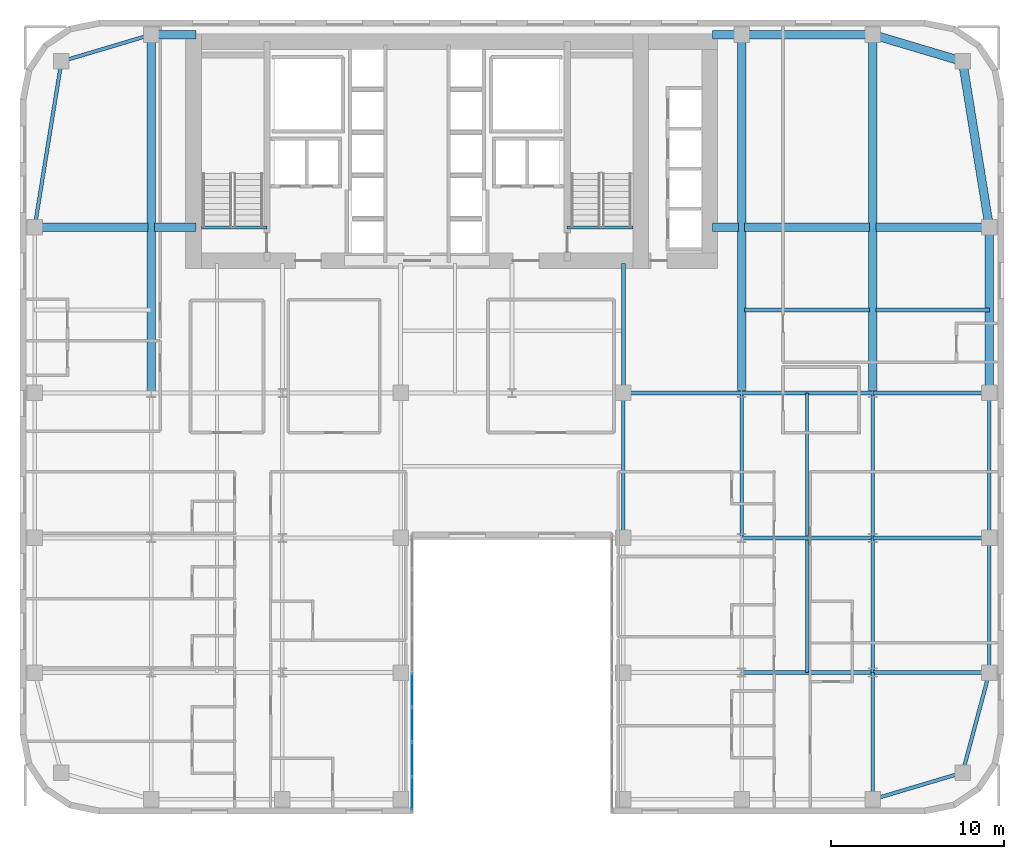
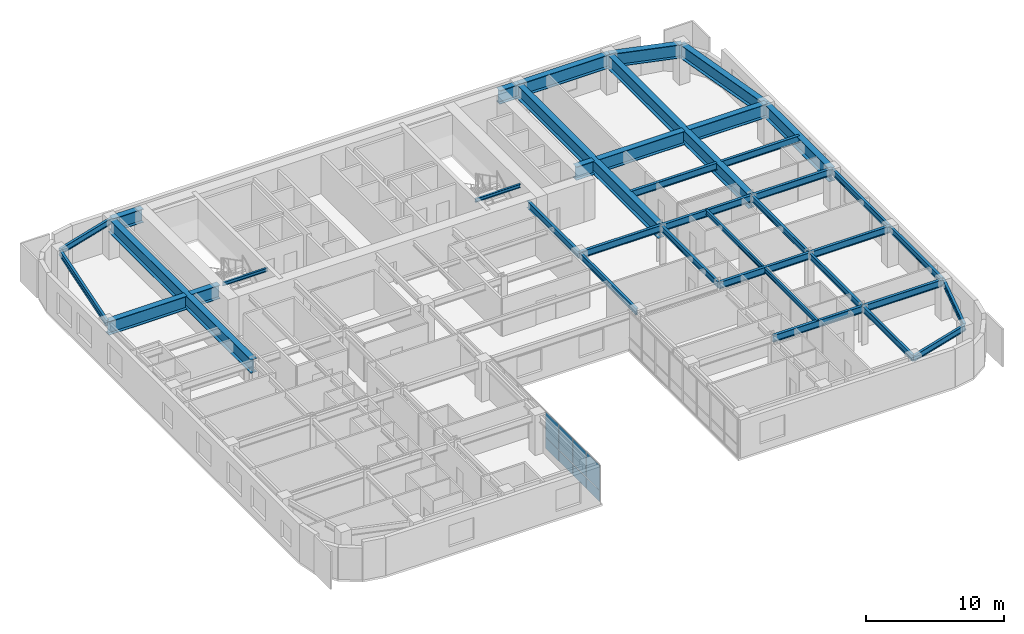
# One storey, part 8 of 16: 39 beams, 8 plates, 1 element without a shape of its own.
"""IFC4 building model written with IfcOpenShell, lengths in metres."""

import ifcopenshell
import ifcopenshell.guid

model = None  # the IFC model being written
_history = None  # IfcOwnerHistory: only IFC2X3 demands one
_inside = {}  # id of a spatial element -> (the spatial element, [elements in it])
_under = {}  # id of a project, library or spatial element -> (it, [spatial elements below it])
_declared = {}  # id of a project -> (the project, [libraries it declares])
_typed = {}  # id of a type object -> (the type object, [elements of that type])
_made_of = {}  # id of a material, layer set ... -> (it, [elements and type objects made of it])


def new_model(schema):
    """Start an empty IFC model of exactly this schema.

    Asked for "IFC4X3", IfcOpenShell would pick the latest addendum, in which some entities
    have other attributes; the version numbers below select the first issue.
    IFC2X3 requires an IfcOwnerHistory on every rooted entity: one is made here for all.
    """
    global model, _history
    if schema == "IFC4X3":
        model = ifcopenshell.file(schema_version=(4, 3, 0, 0))
    else:
        model = ifcopenshell.file(schema=schema)
    _inside.clear()
    _under.clear()
    _declared.clear()
    _typed.clear()
    _made_of.clear()
    _history = None
    if model.schema == "IFC2X3":
        org = make("IfcOrganization", Name="unknown")
        user = make(
            "IfcPersonAndOrganization",
            ThePerson=make("IfcPerson", FamilyName="unknown"),
            TheOrganization=org,
        )
        app = make(
            "IfcApplication",
            ApplicationDeveloper=org,
            Version="unknown",
            ApplicationFullName="unknown",
            ApplicationIdentifier="unknown",
        )
        _history = make(
            "IfcOwnerHistory",
            OwningUser=user,
            OwningApplication=app,
            ChangeAction="ADDED",
            CreationDate=0,
        )
    return model


def make(cls, **values):
    """One entity of the class cls with the attributes given. An attribute that is None is left unset."""
    return model.create_entity(
        cls, **{name: value for name, value in values.items() if value is not None}
    )


def rooted(cls, **values):
    """An entity with a GlobalId (a new one), such as an element, a storey or a relation."""
    return make(cls, GlobalId=ifcopenshell.guid.new(), OwnerHistory=_history, **values)


def si_unit(unit_type, name, prefix=None):
    """IfcSIUnit, for example si_unit("LENGTHUNIT", "METRE", prefix="MILLI")."""
    return make("IfcSIUnit", UnitType=unit_type, Prefix=prefix, Name=name)


def assignment(units):
    """IfcUnitAssignment: the units of a project."""
    return None if units is None else make("IfcUnitAssignment", Units=units)


def point(xyz):
    """IfcCartesianPoint."""
    return None if xyz is None else make("IfcCartesianPoint", Coordinates=xyz)


def direction(xyz):
    """IfcDirection."""
    return None if xyz is None else make("IfcDirection", DirectionRatios=xyz)


def frame(location, z_axis=None, x_axis=None):
    """IfcAxis2Placement3D, a coordinate frame: its origin and axes. An axis left out is left unset."""
    return make(
        "IfcAxis2Placement3D",
        Location=point(location),
        Axis=direction(z_axis),
        RefDirection=direction(x_axis),
    )


def frame_2d(location, x_axis=None):
    """IfcAxis2Placement2D, a coordinate frame in the plane: its origin and x axis."""
    return make(
        "IfcAxis2Placement2D", Location=point(location), RefDirection=direction(x_axis)
    )


def origin():
    """The frame at (0, 0, 0) with its axes left unset."""
    return frame((0.0, 0.0, 0.0))


def origin_2d():
    """The frame at (0, 0) in the plane with its x axis left unset."""
    return frame_2d((0.0, 0.0))


def place(relative_to, where):
    """IfcLocalPlacement: puts the frame where relative to a parent placement (None: the world)."""
    return make(
        "IfcLocalPlacement", PlacementRelTo=relative_to, RelativePlacement=where
    )


def context(
    kind, dimensions, precision=None, world=None, true_north=None, identifier=None
):
    """IfcGeometricRepresentationContext, for example the 3D "Model" context."""
    return make(
        "IfcGeometricRepresentationContext",
        ContextIdentifier=identifier,
        ContextType=kind,
        CoordinateSpaceDimension=dimensions,
        Precision=precision,
        WorldCoordinateSystem=world,
        TrueNorth=true_north,
    )


def subcontext(parent, identifier, kind, view, scale=None):
    """IfcGeometricRepresentationSubContext, for example "Body" below "Model"."""
    return make(
        "IfcGeometricRepresentationSubContext",
        ContextIdentifier=identifier,
        ContextType=kind,
        ParentContext=parent,
        TargetScale=scale,
        TargetView=view,
    )


def project(units=None, contexts=None):
    """IfcProject with its units and contexts."""
    return rooted(
        "IfcProject",
        Name="project",
        RepresentationContexts=contexts,
        UnitsInContext=assignment(units),
    )


def spatial(cls, under=None, at=None, **own):
    """A site, building, storey or space (cls), placed at a placement, below another one or the project."""
    s = rooted(cls, ObjectPlacement=at, **own)
    if under is not None:
        _under.setdefault(under.id(), (under, []))[1].append(s)
    return s


def profile(cls, at=None, kind="AREA", **sizes):
    """A parametric profile (cls). Its sizes go by their IFC names, for example OverallWidth=200.0."""
    return make(cls, ProfileType=kind, Position=at, **sizes)


def rectangle(**sizes):
    """IfcRectangleProfileDef."""
    return profile("IfcRectangleProfileDef", **sizes)


def i_section(**sizes):
    """IfcIShapeProfileDef."""
    return profile("IfcIShapeProfileDef", **sizes)


def extrude(swept, where, along, depth):
    """IfcExtrudedAreaSolid: the profile swept, set in the frame where, extruded along a direction by depth."""
    return make(
        "IfcExtrudedAreaSolid",
        SweptArea=swept,
        Position=where,
        ExtrudedDirection=direction(along),
        Depth=depth,
    )


def shape(context_of_items, identifier, shape_type, items):
    """IfcShapeRepresentation: the items that make up one representation, for example the "Body"."""
    return make(
        "IfcShapeRepresentation",
        ContextOfItems=context_of_items,
        RepresentationIdentifier=identifier,
        RepresentationType=shape_type,
        Items=items,
    )


def source(mapping_origin, context_of_items, identifier, shape_type, items):
    """IfcRepresentationMap: a shape defined once, which mapped items show again and again."""
    return make(
        "IfcRepresentationMap",
        MappingOrigin=mapping_origin,
        MappedRepresentation=shape(context_of_items, identifier, shape_type, items),
    )


def transform(
    local_origin,
    x_axis=None,
    y_axis=None,
    z_axis=None,
    scale=None,
    scale2=None,
    scale3=None,
    uniform=True,
):
    """IfcCartesianTransformationOperator3D, or its non-uniform kind. x_axis, y_axis, z_axis: its Axis1, 2, 3."""
    if uniform:
        return make(
            "IfcCartesianTransformationOperator3D",
            Axis1=direction(x_axis),
            Axis2=direction(y_axis),
            LocalOrigin=point(local_origin),
            Scale=scale,
            Axis3=direction(z_axis),
        )
    return make(
        "IfcCartesianTransformationOperator3DnonUniform",
        Axis1=direction(x_axis),
        Axis2=direction(y_axis),
        LocalOrigin=point(local_origin),
        Scale=scale,
        Axis3=direction(z_axis),
        Scale2=scale2,
        Scale3=scale3,
    )


def mapped(mapping_source, mapping_target):
    """IfcMappedItem: shows the shape of a source again, moved by a transform."""
    return make(
        "IfcMappedItem", MappingSource=mapping_source, MappingTarget=mapping_target
    )


def material(Name=None, Category=None):
    """IfcMaterial."""
    return make("IfcMaterial", Name=Name, Category=Category)


def layer(
    of_material, thickness, ventilated=None, Name=None, Category=None, Priority=None
):
    """IfcMaterialLayer: one layer of a wall or slab, of a material (None: an air gap)."""
    return make(
        "IfcMaterialLayer",
        Material=of_material,
        LayerThickness=thickness,
        IsVentilated=ventilated,
        Name=Name,
        Category=Category,
        Priority=Priority,
    )


def layer_set(layers, Name=None):
    """IfcMaterialLayerSet."""
    return make("IfcMaterialLayerSet", MaterialLayers=layers, LayerSetName=Name)


def material_profile(
    of_material, cross_section, Name=None, Category=None, Priority=None
):
    """IfcMaterialProfile: a cross section and its material."""
    return make(
        "IfcMaterialProfile",
        Name=Name,
        Material=of_material,
        Profile=cross_section,
        Priority=Priority,
        Category=Category,
    )


def profile_set(profiles, Name=None, composite=None):
    """IfcMaterialProfileSet."""
    return make(
        "IfcMaterialProfileSet",
        Name=Name,
        MaterialProfiles=profiles,
        CompositeProfile=composite,
    )


def made_of(thing, what):
    """Note that an element or type object is made of a material, layer set ...; save() writes the relation."""
    if what is not None:
        _made_of.setdefault(what.id(), (what, []))[1].append(thing)
    return thing


def type_object(cls, material=None, **own):
    """A type object (cls), such as IfcWallType, which elements share."""
    return made_of(rooted(cls, **own), material)


def type_shapes(of_type, sources):
    """Give a type object the sources (RepresentationMaps) that its elements show as mapped items."""
    of_type.RepresentationMaps = sources


def element(
    cls,
    number,
    at=None,
    inside=None,
    cuts=None,
    type_object=None,
    material=None,
    context=None,
    identifier="Body",
    shape_type=None,
    held_by="IfcProductDefinitionShape",
    body=None,
    shapes=None,
    **own,
):
    """One element of the class cls, such as IfcWall. Its Tag is "e" and its number.

    at: its placement. inside: the storey or other place that contains it. cuts: it is an
    opening in that element (IfcRelVoidsElement). A single representation is given by context,
    identifier, shape_type and body (its items); several are given by shapes. held_by: the class
    of the entity that holds the representations. save() writes the other relations.
    """
    e = rooted(cls, Tag="e%d" % number, ObjectPlacement=at, **own)
    if body is not None:
        shapes = [shape(context, identifier, shape_type, body)]
    if shapes is not None:
        e.Representation = make(held_by, Representations=shapes)
    if inside is not None:
        _inside.setdefault(inside.id(), (inside, []))[1].append(e)
    if cuts is not None:
        rooted(
            "IfcRelVoidsElement", RelatingBuildingElement=cuts, RelatedOpeningElement=e
        )
    if type_object is not None:
        _typed.setdefault(type_object.id(), (type_object, []))[1].append(e)
    return made_of(e, material)


def aggregate(whole, parts):
    """IfcRelAggregates: a whole, such as a stair, and the parts it consists of."""
    return rooted("IfcRelAggregates", RelatingObject=whole, RelatedObjects=parts)


def save(model, path):
    """Write the relations noted so far, then the file.

    IfcRelAggregates (storeys below a building ...), IfcRelContainedInSpatialStructure (elements
    in a storey), IfcRelDefinesByType, IfcRelAssociatesMaterial and IfcRelDeclares: one each for
    every whole, place, type object, material and project.
    """
    for whole, parts in _under.values():
        aggregate(whole, parts)
    for where, things in _inside.values():
        rooted(
            "IfcRelContainedInSpatialStructure",
            RelatedElements=things,
            RelatingStructure=where,
        )
    for kind, things in _typed.values():
        rooted("IfcRelDefinesByType", RelatedObjects=things, RelatingType=kind)
    for what, things in _made_of.values():
        rooted("IfcRelAssociatesMaterial", RelatedObjects=things, RelatingMaterial=what)
    for by, libraries in _declared.values():
        rooted("IfcRelDeclares", RelatingContext=by, RelatedDefinitions=libraries)
    model.write(path)


model = new_model("IFC4")

# Units and contexts
model_context = context("Model", 3, precision=1e-05, world=origin(), true_north=direction((0.0, 1.0)))
body_context = subcontext(model_context, "Body", "Model", "MODEL_VIEW")
ifc_project = project(units=[si_unit("LENGTHUNIT", "METRE"), si_unit("AREAUNIT", "SQUARE_METRE"), si_unit("VOLUMEUNIT", "CUBIC_METRE"), si_unit("PLANEANGLEUNIT", "RADIAN"), si_unit("MASSUNIT", "GRAM", prefix="KILO")], contexts=[model_context])

# Site, building, storey
site_placement = place(None, origin())
site = spatial("IfcSite", under=ifc_project, at=site_placement, CompositionType="ELEMENT")
building_placement = place(site_placement, origin())
building = spatial("IfcBuilding", under=site, at=building_placement, Name="Tolvann Quenvar Hotel", CompositionType="ELEMENT")
storey_placement = place(building_placement, frame((0.0, 0.0, 85.25)))
storey = spatial("IfcBuildingStorey", under=building, at=storey_placement, Name="L21", CompositionType="ELEMENT", Elevation=85.25)

# Beams
ifc_material_1 = material(Name="Steel Grade 350", Category="steel")
ifc_material_profile_1 = material_profile(ifc_material_1, i_section(OverallWidth=0.5, OverallDepth=1.199951171875, WebThickness=0.01611328125, FlangeThickness=0.0400390625, at=origin_2d()), Name="1200WB455")
ifc_profile_set_1 = profile_set([ifc_material_profile_1], Name="Steel Grade 350")
beam_type_1 = type_object("IfcBeamType", Name="BM_TG_1200WB455", PredefinedType="USERDEFINED", material=ifc_profile_set_1)
shared_shape_1 = source(origin(), body_context, "Body", "SweptSolid", [
    extrude(i_section(OverallWidth=0.5, OverallDepth=1.199951171875, WebThickness=0.01611328125, FlangeThickness=0.0400390625, at=origin_2d()), origin(), (0.0, 0.0, 1.0), 7.599853515625),
])
beam_1_placement = place(storey_placement, frame((49.39990234375, 45.14990234375, 2.77001953125), z_axis=(-1.0, 0.0, 0.0), x_axis=(0.0, -1.0, 0.0)))
element("IfcBeam", 1, at=beam_1_placement, inside=storey, type_object=beam_type_1, Name="BM-L21-FLK-E4", ObjectType="TRANSFER GIRDER", PredefinedType="USERDEFINED", context=body_context, shape_type="MappedRepresentation", body=[
    mapped(shared_shape_1, transform((0.0, 0.0, 0.0), x_axis=(1.0, 0.0, 0.0), y_axis=(0.0, 1.0, 0.0), z_axis=(0.0, 0.0, 1.0), scale=1.0)),
])
shared_shape_2 = source(origin(), body_context, "Body", "SweptSolid", [
    extrude(i_section(OverallWidth=0.5, OverallDepth=1.199951171875, WebThickness=0.01611328125, FlangeThickness=0.0400390625, at=origin_2d()), origin(), (0.0, 0.0, 1.0), 9.60009765625),
])
beam_2_placement = place(storey_placement, frame((56.14990234375, 24.39990234375, 2.77001953125), z_axis=(0.0, 1.0, 0.0), x_axis=(-1.0, 0.0, 0.0)))
element("IfcBeam", 2, at=beam_2_placement, inside=storey, type_object=beam_type_1, Name="BM-L21-FLK-E1", ObjectType="TRANSFER GIRDER", PredefinedType="USERDEFINED", context=body_context, shape_type="MappedRepresentation", body=[
    mapped(shared_shape_2, transform((0.0, 0.0, 0.0), x_axis=(1.0, 0.0, 0.0), y_axis=(0.0, 1.0, 0.0), z_axis=(0.0, 0.0, 1.0), scale=1.0)),
])
ifc_material_profile_2 = material_profile(ifc_material_1, i_section(OverallWidth=0.208984375, OverallDepth=0.528076171875, WebThickness=0.009521484375, FlangeThickness=0.01318359375, FilletRadius=0.013916015625, at=origin_2d()), Name="530UB82")
ifc_profile_set_2 = profile_set([ifc_material_profile_2], Name="Steel Grade 350")
beam_type_2 = type_object("IfcBeamType", Name="BM_SPAND_530UB82", PredefinedType="SPANDREL", material=ifc_profile_set_2)
shared_shape_3 = source(origin(), body_context, "Body", "SweptSolid", [
    extrude(i_section(OverallWidth=0.208984375, OverallDepth=0.528076171875, WebThickness=0.009521484375, FlangeThickness=0.01318359375, FilletRadius=0.013916015625, at=origin_2d()), origin(), (0.0, 0.0, 1.0), 5.42626953125),
])
for number, where, z_axis, x_axis, name in (
    (3, (49.39990234375, 0.85009765625, 3.10595703125), (0.958344815522, 0.285613750654, 0.0), (-0.285613750654, 0.958344815522, 0.0), "BM-L21-EW-2-I2-J2"),
    (4, (2.39990234375, 43.60009765625, 3.10595703125), (0.958344815522, 0.285613750654, 0.0), (-0.285613750654, 0.958344815522, 0.0), "BM-L21-FLK-W3"),
):
    element("IfcBeam", number, at=place(storey_placement, frame(where, z_axis=z_axis, x_axis=x_axis)), inside=storey, type_object=beam_type_2, Name=name, PredefinedType="SPANDREL", context=body_context, shape_type="MappedRepresentation", body=[
        mapped(shared_shape_3, transform((0.0, 0.0, 0.0), x_axis=(1.0, 0.0, 0.0), y_axis=(0.0, 1.0, 0.0), z_axis=(0.0, 0.0, 1.0), scale=1.0)),
    ])
ifc_material_profile_3 = material_profile(ifc_material_1, i_section(OverallWidth=0.22900390625, OverallDepth=0.612060546875, WebThickness=0.011962890625, FlangeThickness=0.01953125, FilletRadius=0.013916015625, at=origin_2d()), Name="610UB125")
ifc_profile_set_3 = profile_set([ifc_material_profile_3], Name="Steel Grade 350")
beam_type_3 = type_object("IfcBeamType", Name="BM_GIRD_610UB125", PredefinedType="BEAM", material=ifc_profile_set_3)
shared_shape_4 = source(origin(), body_context, "Body", "SweptSolid", [
    extrude(i_section(OverallWidth=0.22900390625, OverallDepth=0.612060546875, WebThickness=0.011962890625, FlangeThickness=0.01953125, FilletRadius=0.013916015625, at=origin_2d()), origin(), (0.0, 0.0, 1.0), 6.75),
])
for number, where, z_axis, x_axis, name in (
    (5, (49.39990234375, 8.199951171875, 3.06396484375), (1.0, 0.0, 0.0), (0.0, 1.0, 0.0), "BM-L21-EW-3-I3-J3"),
    (6, (49.39990234375, 16.0, 3.06396484375), (1.0, 0.0, 0.0), (0.0, 1.0, 0.0), "BM-L21-EW-4-I4-J4"),
    (7, (49.39990234375, 24.39990234375, 3.06396484375), (1.0, 0.0, 0.0), (0.0, 1.0, 0.0), "BM-L21-EW-5-I5-J5"),
):
    element("IfcBeam", number, at=place(storey_placement, frame(where, z_axis=z_axis, x_axis=x_axis)), inside=storey, type_object=beam_type_3, Name=name, PredefinedType="BEAM", context=body_context, shape_type="MappedRepresentation", body=[
        mapped(shared_shape_4, transform((0.0, 0.0, 0.0), x_axis=(1.0, 0.0, 0.0), y_axis=(0.0, 1.0, 0.0), z_axis=(0.0, 0.0, 1.0), scale=1.0)),
    ])
shared_shape_5 = source(origin(), body_context, "Body", "SweptSolid", [
    extrude(i_section(OverallWidth=0.22900390625, OverallDepth=0.612060546875, WebThickness=0.011962890625, FlangeThickness=0.01953125, FilletRadius=0.013916015625, at=origin_2d()), origin(), (0.0, 0.0, 1.0), 7.599853515625),
])
for number, where, z_axis, x_axis, name in (
    (8, (41.800048828125, 8.199951171875, 3.06396484375), (1.0, 0.0, 0.0), (0.0, 1.0, 0.0), "BM-L21-EW-3-H3-I3"),
    (9, (41.800048828125, 16.0, 3.06396484375), (1.0, 0.0, 0.0), (0.0, 1.0, 0.0), "BM-L21-EW-4-H4-I4"),
    (10, (41.800048828125, 24.39990234375, 3.06396484375), (1.0, 0.0, 0.0), (0.0, 1.0, 0.0), "BM-L21-EW-5-H5-I5"),
):
    element("IfcBeam", number, at=place(storey_placement, frame(where, z_axis=z_axis, x_axis=x_axis)), inside=storey, type_object=beam_type_3, Name=name, PredefinedType="BEAM", context=body_context, shape_type="MappedRepresentation", body=[
        mapped(shared_shape_5, transform((0.0, 0.0, 0.0), x_axis=(1.0, 0.0, 0.0), y_axis=(0.0, 1.0, 0.0), z_axis=(0.0, 0.0, 1.0), scale=1.0)),
    ])
shared_shape_6 = source(origin(), body_context, "Body", "SweptSolid", [
    extrude(i_section(OverallWidth=0.22900390625, OverallDepth=0.612060546875, WebThickness=0.011962890625, FlangeThickness=0.01953125, FilletRadius=0.013916015625, at=origin_2d()), origin(), (0.0, 0.0, 1.0), 6.85009765625),
])
beam_3_placement = place(storey_placement, frame((34.949951171875, 24.39990234375, 3.06396484375), z_axis=(1.0, 0.0, 0.0), x_axis=(0.0, 1.0, 0.0)))
element("IfcBeam", 11, at=beam_3_placement, inside=storey, type_object=beam_type_3, Name="BM-L21-EW-5-F5-H5", PredefinedType="BEAM", context=body_context, shape_type="MappedRepresentation", body=[
    mapped(shared_shape_6, transform((0.0, 0.0, 0.0), x_axis=(1.0, 0.0, 0.0), y_axis=(0.0, 1.0, 0.0), z_axis=(0.0, 0.0, 1.0), scale=1.0)),
])
shared_shape_7 = source(origin(), body_context, "Body", "SweptSolid", [
    extrude(i_section(OverallWidth=0.208984375, OverallDepth=0.528076171875, WebThickness=0.009521484375, FlangeThickness=0.01318359375, FilletRadius=0.013916015625, at=origin_2d()), origin(), (0.0, 0.0, 1.0), 6.00341796875),
])
beam_4_placement = place(storey_placement, frame((54.60009765625, 2.39990234375, 3.10595703125), z_axis=(0.258148586649, 0.966105225745, 0.0), x_axis=(-0.966105225745, 0.258148586649, 0.0)))
element("IfcBeam", 12, at=beam_4_placement, inside=storey, type_object=beam_type_2, Name="BM-L21-NS-J2-J3", PredefinedType="SPANDREL", context=body_context, shape_type="MappedRepresentation", body=[
    mapped(shared_shape_7, transform((0.0, 0.0, 0.0), x_axis=(1.0, 0.0, 0.0), y_axis=(0.0, 1.0, 0.0), z_axis=(0.0, 0.0, 1.0), scale=1.0)),
])
shared_shape_8 = source(origin(), body_context, "Body", "SweptSolid", [
    extrude(i_section(OverallWidth=0.208984375, OverallDepth=0.528076171875, WebThickness=0.009521484375, FlangeThickness=0.01318359375, FilletRadius=0.013916015625, at=origin_2d()), origin(), (0.0, 0.0, 1.0), 7.800048828125),
])
beam_5_placement = place(storey_placement, frame((56.14990234375, 8.199951171875, 3.10595703125), z_axis=(0.0, 1.0, 0.0), x_axis=(-1.0, 0.0, 0.0)))
element("IfcBeam", 13, at=beam_5_placement, inside=storey, type_object=beam_type_2, Name="BM-L21-NS-J3-J4", PredefinedType="SPANDREL", context=body_context, shape_type="MappedRepresentation", body=[
    mapped(shared_shape_8, transform((0.0, 0.0, 0.0), x_axis=(1.0, 0.0, 0.0), y_axis=(0.0, 1.0, 0.0), z_axis=(0.0, 0.0, 1.0), scale=1.0)),
])
shared_shape_9 = source(origin(), body_context, "Body", "SweptSolid", [
    extrude(i_section(OverallWidth=0.208984375, OverallDepth=0.528076171875, WebThickness=0.009521484375, FlangeThickness=0.01318359375, FilletRadius=0.013916015625, at=origin_2d()), origin(), (0.0, 0.0, 1.0), 8.39990234375),
])
beam_6_placement = place(storey_placement, frame((56.14990234375, 16.0, 3.10595703125), z_axis=(0.0, 1.0, 0.0), x_axis=(-1.0, 0.0, 0.0)))
element("IfcBeam", 14, at=beam_6_placement, inside=storey, type_object=beam_type_2, Name="BM-L21-NS-J4-J5", PredefinedType="SPANDREL", context=body_context, shape_type="MappedRepresentation", body=[
    mapped(shared_shape_9, transform((0.0, 0.0, 0.0), x_axis=(1.0, 0.0, 0.0), y_axis=(0.0, 1.0, 0.0), z_axis=(0.0, 0.0, 1.0), scale=1.0)),
])
ifc_material_profile_4 = material_profile(ifc_material_1, i_section(OverallWidth=0.208984375, OverallDepth=0.532958984375, WebThickness=0.01025390625, FlangeThickness=0.015625, FilletRadius=0.013916015625, at=origin_2d()), Name="530UB92")
ifc_profile_set_4 = profile_set([ifc_material_profile_4], Name="Steel Grade 350")
beam_type_4 = type_object("IfcBeamType", Name="BM_GIRD_530UB92", PredefinedType="BEAM", material=ifc_profile_set_4)
shared_shape_10 = source(origin(), body_context, "Body", "SweptSolid", [
    extrude(i_section(OverallWidth=0.208984375, OverallDepth=0.532958984375, WebThickness=0.01025390625, FlangeThickness=0.015625, FilletRadius=0.013916015625, at=origin_2d()), origin(), (0.0, 0.0, 1.0), 7.349853515625),
])
beam_7_placement = place(storey_placement, frame((49.39990234375, 0.85009765625, 3.103515625), z_axis=(0.0, 1.0, 0.0), x_axis=(-1.0, 0.0, 0.0)))
element("IfcBeam", 15, at=beam_7_placement, inside=storey, type_object=beam_type_4, Name="BM-L21-NS-I2-I3", PredefinedType="BEAM", context=body_context, shape_type="MappedRepresentation", body=[
    mapped(shared_shape_10, transform((0.0, 0.0, 0.0), x_axis=(1.0, 0.0, 0.0), y_axis=(0.0, 1.0, 0.0), z_axis=(0.0, 0.0, 1.0), scale=1.0)),
])
shared_shape_11 = source(origin(), body_context, "Body", "SweptSolid", [
    extrude(i_section(OverallWidth=0.208984375, OverallDepth=0.532958984375, WebThickness=0.01025390625, FlangeThickness=0.015625, FilletRadius=0.013916015625, at=origin_2d()), origin(), (0.0, 0.0, 1.0), 7.800048828125),
])
beam_8_placement = place(storey_placement, frame((49.39990234375, 8.199951171875, 3.103515625), z_axis=(0.0, 1.0, 0.0), x_axis=(-1.0, 0.0, 0.0)))
element("IfcBeam", 16, at=beam_8_placement, inside=storey, type_object=beam_type_4, Name="BM-L21-NS-I3-I4", PredefinedType="BEAM", context=body_context, shape_type="MappedRepresentation", body=[
    mapped(shared_shape_11, transform((0.0, 0.0, 0.0), x_axis=(1.0, 0.0, 0.0), y_axis=(0.0, 1.0, 0.0), z_axis=(0.0, 0.0, 1.0), scale=1.0)),
])
shared_shape_12 = source(origin(), body_context, "Body", "SweptSolid", [
    extrude(i_section(OverallWidth=0.208984375, OverallDepth=0.532958984375, WebThickness=0.01025390625, FlangeThickness=0.015625, FilletRadius=0.013916015625, at=origin_2d()), origin(), (0.0, 0.0, 1.0), 8.39990234375),
])
type_shapes(beam_type_4, [shared_shape_10, shared_shape_11, shared_shape_12])
for number, where, z_axis, x_axis, name in (
    (17, (34.949951171875, 16.0, 3.103515625), (0.0, 1.0, 0.0), (-1.0, 0.0, 0.0), "BM-L21-NS-F4-F5"),
    (18, (41.800048828125, 16.0, 3.103515625), (0.0, 1.0, 0.0), (-1.0, 0.0, 0.0), "BM-L21-NS-H4-H5"),
    (19, (49.39990234375, 16.0, 3.103515625), (0.0, 1.0, 0.0), (-1.0, 0.0, 0.0), "BM-L21-NS-I4-I5"),
):
    element("IfcBeam", number, at=place(storey_placement, frame(where, z_axis=z_axis, x_axis=x_axis)), inside=storey, type_object=beam_type_4, Name=name, PredefinedType="BEAM", context=body_context, shape_type="MappedRepresentation", body=[
        mapped(shared_shape_12, transform((0.0, 0.0, 0.0), x_axis=(1.0, 0.0, 0.0), y_axis=(0.0, 1.0, 0.0), z_axis=(0.0, 0.0, 1.0), scale=1.0)),
    ])
shared_shape_13 = source(origin(), body_context, "Body", "SweptSolid", [
    extrude(i_section(OverallWidth=0.22900390625, OverallDepth=0.612060546875, WebThickness=0.011962890625, FlangeThickness=0.01953125, FilletRadius=0.013916015625, at=origin_2d()), origin(), (0.0, 0.0, 1.0), 7.5),
])
beam_9_placement = place(storey_placement, frame((34.949951171875, 24.39990234375, 3.06396484375), z_axis=(0.0, 1.0, 0.0), x_axis=(-1.0, 0.0, 0.0)))
element("IfcBeam", 20, at=beam_9_placement, inside=storey, type_object=beam_type_3, Name="BM-L21-CORE-F5", PredefinedType="BEAM", context=body_context, shape_type="MappedRepresentation", body=[
    mapped(shared_shape_13, transform((0.0, 0.0, 0.0), x_axis=(1.0, 0.0, 0.0), y_axis=(0.0, 1.0, 0.0), z_axis=(0.0, 0.0, 1.0), scale=1.0)),
])
shared_shape_14 = source(origin(), body_context, "Body", "SweptSolid", [
    extrude(i_section(OverallWidth=0.208984375, OverallDepth=0.528076171875, WebThickness=0.009521484375, FlangeThickness=0.01318359375, FilletRadius=0.013916015625, at=origin_2d()), origin(), (0.0, 0.0, 1.0), 9.724365234375),
])
type_shapes(beam_type_2, [shared_shape_3, shared_shape_7, shared_shape_8, shared_shape_9, shared_shape_14])
beam_10_placement = place(storey_placement, frame((0.85009765625, 34.0, 3.10595703125), z_axis=(0.159372939192, 0.987218449105, 0.0), x_axis=(-0.987218449105, 0.159372939192, 0.0)))
element("IfcBeam", 21, at=beam_10_placement, inside=storey, type_object=beam_type_2, Name="BM-L21-FLK-W2", PredefinedType="SPANDREL", context=body_context, shape_type="MappedRepresentation", body=[
    mapped(shared_shape_14, transform((0.0, 0.0, 0.0), x_axis=(1.0, 0.0, 0.0), y_axis=(0.0, 1.0, 0.0), z_axis=(0.0, 0.0, 1.0), scale=1.0)),
])
shared_shape_15 = source(origin(), body_context, "Body", "SweptSolid", [
    extrude(i_section(OverallWidth=0.5, OverallDepth=1.199951171875, WebThickness=0.01611328125, FlangeThickness=0.0400390625, at=origin_2d()), origin(), (0.0, 0.0, 1.0), 20.75),
])
for number, where, z_axis, x_axis, name in (
    (22, (7.60009765625, 24.39990234375, 2.77001953125), (0.0, 1.0, 0.0), (-1.0, 0.0, 0.0), "BM-L21-FLK-WC"),
    (23, (41.800048828125, 24.39990234375, 2.77001953125), (0.0, 1.0, 0.0), (-1.0, 0.0, 0.0), "BM-L21-FLK-EH"),
    (24, (49.39990234375, 24.39990234375, 2.77001953125), (0.0, 1.0, 0.0), (-1.0, 0.0, 0.0), "BM-L21-FLK-EI"),
):
    element("IfcBeam", number, at=place(storey_placement, frame(where, z_axis=z_axis, x_axis=x_axis)), inside=storey, type_object=beam_type_1, Name=name, ObjectType="TRANSFER GIRDER", PredefinedType="USERDEFINED", context=body_context, shape_type="MappedRepresentation", body=[
        mapped(shared_shape_15, transform((0.0, 0.0, 0.0), x_axis=(1.0, 0.0, 0.0), y_axis=(0.0, 1.0, 0.0), z_axis=(0.0, 0.0, 1.0), scale=1.0)),
    ])
shared_shape_16 = source(origin(), body_context, "Body", "SweptSolid", [
    extrude(i_section(OverallWidth=0.5, OverallDepth=1.199951171875, WebThickness=0.01611328125, FlangeThickness=0.0400390625, at=origin_2d()), origin(), (0.0, 0.0, 1.0), 6.56982421875),
])
for number, where, z_axis, x_axis, name in (
    (25, (0.85009765625, 34.0, 2.77001953125), (1.0, 0.0, 0.0), (0.0, 1.0, 0.0), "BM-L21-CTW-MID1"),
    (26, (49.580078125, 34.0, 2.77001953125), (1.0, 0.0, 0.0), (0.0, 1.0, 0.0), "BM-L21-CTE-JD6C"),
):
    element("IfcBeam", number, at=place(storey_placement, frame(where, z_axis=z_axis, x_axis=x_axis)), inside=storey, type_object=beam_type_1, Name=name, ObjectType="TRANSFER GIRDER", PredefinedType="USERDEFINED", context=body_context, shape_type="MappedRepresentation", body=[
        mapped(shared_shape_16, transform((0.0, 0.0, 0.0), x_axis=(1.0, 0.0, 0.0), y_axis=(0.0, 1.0, 0.0), z_axis=(0.0, 0.0, 1.0), scale=1.0)),
    ])
shared_shape_17 = source(origin(), body_context, "Body", "SweptSolid", [
    extrude(i_section(OverallWidth=0.5, OverallDepth=1.199951171875, WebThickness=0.01611328125, FlangeThickness=0.0400390625, at=origin_2d()), origin(), (0.0, 0.0, 1.0), 2.419921875),
])
beam_11_placement = place(storey_placement, frame((7.780029296875, 34.0, 2.77001953125), z_axis=(1.0, 0.0, 0.0), x_axis=(0.0, 1.0, 0.0)))
element("IfcBeam", 27, at=beam_11_placement, inside=storey, type_object=beam_type_1, Name="BM-L21-CTW-MID2", ObjectType="TRANSFER GIRDER", PredefinedType="USERDEFINED", context=body_context, shape_type="MappedRepresentation", body=[
    mapped(shared_shape_17, transform((0.0, 0.0, 0.0), x_axis=(1.0, 0.0, 0.0), y_axis=(0.0, 1.0, 0.0), z_axis=(0.0, 0.0, 1.0), scale=1.0)),
])
shared_shape_18 = source(origin(), body_context, "Body", "SweptSolid", [
    extrude(i_section(OverallWidth=0.5, OverallDepth=1.199951171875, WebThickness=0.01611328125, FlangeThickness=0.0400390625, at=origin_2d()), origin(), (0.0, 0.0, 1.0), 2.599853515625),
])
beam_12_placement = place(storey_placement, frame((7.60009765625, 45.14990234375, 2.77001953125), z_axis=(1.0, 0.0, 0.0), x_axis=(0.0, 1.0, 0.0)))
element("IfcBeam", 28, at=beam_12_placement, inside=storey, type_object=beam_type_1, Name="BM-L21-CTW-CN", ObjectType="TRANSFER GIRDER", PredefinedType="USERDEFINED", context=body_context, shape_type="MappedRepresentation", body=[
    mapped(shared_shape_18, transform((0.0, 0.0, 0.0), x_axis=(1.0, 0.0, 0.0), y_axis=(0.0, 1.0, 0.0), z_axis=(0.0, 0.0, 1.0), scale=1.0)),
])
shared_shape_19 = source(origin(), body_context, "Body", "SweptSolid", [
    extrude(i_section(OverallWidth=0.5, OverallDepth=1.199951171875, WebThickness=0.01611328125, FlangeThickness=0.0400390625, at=origin_2d()), origin(), (0.0, 0.0, 1.0), 9.724365234375),
])
beam_13_placement = place(storey_placement, frame((56.14990234375, 34.0, 2.77001953125), z_axis=(-0.159372939192, 0.987218449105, 0.0), x_axis=(-0.987218449105, -0.159372939192, 0.0)))
element("IfcBeam", 29, at=beam_13_placement, inside=storey, type_object=beam_type_1, Name="BM-L21-FLK-E2", ObjectType="TRANSFER GIRDER", PredefinedType="USERDEFINED", context=body_context, shape_type="MappedRepresentation", body=[
    mapped(shared_shape_19, transform((0.0, 0.0, 0.0), x_axis=(1.0, 0.0, 0.0), y_axis=(0.0, 1.0, 0.0), z_axis=(0.0, 0.0, 1.0), scale=1.0)),
])
shared_shape_20 = source(origin(), body_context, "Body", "SweptSolid", [
    extrude(i_section(OverallWidth=0.5, OverallDepth=1.199951171875, WebThickness=0.01611328125, FlangeThickness=0.0400390625, at=origin_2d()), origin(), (0.0, 0.0, 1.0), 5.42626953125),
])
beam_14_placement = place(storey_placement, frame((54.60009765625, 43.60009765625, 2.77001953125), z_axis=(-0.958344815522, 0.285613750654, 0.0), x_axis=(-0.285613750654, -0.958344815522, 0.0)))
element("IfcBeam", 30, at=beam_14_placement, inside=storey, type_object=beam_type_1, Name="BM-L21-FLK-E3", ObjectType="TRANSFER GIRDER", PredefinedType="USERDEFINED", context=body_context, shape_type="MappedRepresentation", body=[
    mapped(shared_shape_20, transform((0.0, 0.0, 0.0), x_axis=(1.0, 0.0, 0.0), y_axis=(0.0, 1.0, 0.0), z_axis=(0.0, 0.0, 1.0), scale=1.0)),
])
shared_shape_21 = source(origin(), body_context, "Body", "SweptSolid", [
    extrude(i_section(OverallWidth=0.5, OverallDepth=1.199951171875, WebThickness=0.01611328125, FlangeThickness=0.0400390625, at=origin_2d()), origin(), (0.0, 0.0, 1.0), 1.699951171875),
])
beam_15_placement = place(storey_placement, frame((40.10009765625, 45.14990234375, 2.77001953125), z_axis=(1.0, 0.0, 0.0), x_axis=(0.0, 1.0, 0.0)))
element("IfcBeam", 31, at=beam_15_placement, inside=storey, type_object=beam_type_1, Name="BM-L21-CTE-HN", ObjectType="TRANSFER GIRDER", PredefinedType="USERDEFINED", context=body_context, shape_type="MappedRepresentation", body=[
    mapped(shared_shape_21, transform((0.0, 0.0, 0.0), x_axis=(1.0, 0.0, 0.0), y_axis=(0.0, 1.0, 0.0), z_axis=(0.0, 0.0, 1.0), scale=1.0)),
])
shared_shape_22 = source(origin(), body_context, "Body", "SweptSolid", [
    extrude(i_section(OverallWidth=0.5, OverallDepth=1.199951171875, WebThickness=0.01611328125, FlangeThickness=0.0400390625, at=origin_2d()), origin(), (0.0, 0.0, 1.0), 1.52001953125),
])
beam_16_placement = place(storey_placement, frame((40.10009765625, 34.0, 2.77001953125), z_axis=(1.0, 0.0, 0.0), x_axis=(0.0, 1.0, 0.0)))
element("IfcBeam", 32, at=beam_16_placement, inside=storey, type_object=beam_type_1, Name="BM-L21-CTE-JD6A", ObjectType="TRANSFER GIRDER", PredefinedType="USERDEFINED", context=body_context, shape_type="MappedRepresentation", body=[
    mapped(shared_shape_22, transform((0.0, 0.0, 0.0), x_axis=(1.0, 0.0, 0.0), y_axis=(0.0, 1.0, 0.0), z_axis=(0.0, 0.0, 1.0), scale=1.0)),
])
shared_shape_23 = source(origin(), body_context, "Body", "SweptSolid", [
    extrude(i_section(OverallWidth=0.5, OverallDepth=1.199951171875, WebThickness=0.01611328125, FlangeThickness=0.0400390625, at=origin_2d()), origin(), (0.0, 0.0, 1.0), 7.239990234375),
])
type_shapes(beam_type_1, [shared_shape_1, shared_shape_2, shared_shape_15, shared_shape_16, shared_shape_17, shared_shape_18, shared_shape_19, shared_shape_20, shared_shape_21, shared_shape_22, shared_shape_23])
beam_17_placement = place(storey_placement, frame((41.97998046875, 34.0, 2.77001953125), z_axis=(1.0, 0.0, 0.0), x_axis=(0.0, 1.0, 0.0)))
element("IfcBeam", 33, at=beam_17_placement, inside=storey, type_object=beam_type_1, Name="BM-L21-CTE-JD6B", ObjectType="TRANSFER GIRDER", PredefinedType="USERDEFINED", context=body_context, shape_type="MappedRepresentation", body=[
    mapped(shared_shape_23, transform((0.0, 0.0, 0.0), x_axis=(1.0, 0.0, 0.0), y_axis=(0.0, 1.0, 0.0), z_axis=(0.0, 0.0, 1.0), scale=1.0)),
])
shared_shape_24 = source(origin(), body_context, "Body", "SweptSolid", [
    extrude(i_section(OverallWidth=0.22900390625, OverallDepth=0.612060546875, WebThickness=0.011962890625, FlangeThickness=0.01953125, FilletRadius=0.013916015625, at=origin_2d()), origin(), (0.0, 0.0, 1.0), 7.239990234375),
])
beam_18_placement = place(storey_placement, frame((41.97998046875, 29.199951171875, 3.06396484375), z_axis=(1.0, 0.0, 0.0), x_axis=(0.0, 1.0, 0.0)))
element("IfcBeam", 34, at=beam_18_placement, inside=storey, type_object=beam_type_3, Name="BM-L21-EW-HI29", PredefinedType="BEAM", context=body_context, shape_type="MappedRepresentation", body=[
    mapped(shared_shape_24, transform((0.0, 0.0, 0.0), x_axis=(1.0, 0.0, 0.0), y_axis=(0.0, 1.0, 0.0), z_axis=(0.0, 0.0, 1.0), scale=1.0)),
])
shared_shape_25 = source(origin(), body_context, "Body", "SweptSolid", [
    extrude(i_section(OverallWidth=0.22900390625, OverallDepth=0.612060546875, WebThickness=0.011962890625, FlangeThickness=0.01953125, FilletRadius=0.013916015625, at=origin_2d()), origin(), (0.0, 0.0, 1.0), 6.56982421875),
])
type_shapes(beam_type_3, [shared_shape_4, shared_shape_5, shared_shape_6, shared_shape_13, shared_shape_24, shared_shape_25])
beam_19_placement = place(storey_placement, frame((49.580078125, 29.199951171875, 3.06396484375), z_axis=(1.0, 0.0, 0.0), x_axis=(0.0, 1.0, 0.0)))
element("IfcBeam", 35, at=beam_19_placement, inside=storey, type_object=beam_type_3, Name="BM-L21-EW-IJ29", PredefinedType="BEAM", context=body_context, shape_type="MappedRepresentation", body=[
    mapped(shared_shape_25, transform((0.0, 0.0, 0.0), x_axis=(1.0, 0.0, 0.0), y_axis=(0.0, 1.0, 0.0), z_axis=(0.0, 0.0, 1.0), scale=1.0)),
])
ifc_material_profile_5 = material_profile(ifc_material_1, i_section(OverallWidth=0.177978515625, OverallDepth=0.406005859375, WebThickness=0.0078125, FlangeThickness=0.0126953125, FilletRadius=0.011474609375, at=origin_2d()), Name="410UB60")
ifc_profile_set_5 = profile_set([ifc_material_profile_5], Name="Steel Grade 350")
beam_type_5 = type_object("IfcBeamType", Name="BM_JOIST_410UB60", PredefinedType="JOIST", material=ifc_profile_set_5)
shared_shape_26 = source(origin(), body_context, "Body", "SweptSolid", [
    extrude(i_section(OverallWidth=0.177978515625, OverallDepth=0.406005859375, WebThickness=0.0078125, FlangeThickness=0.0126953125, FilletRadius=0.011474609375, at=origin_2d()), origin(), (0.0, 0.0, 1.0), 7.691650390625),
])
beam_20_placement = place(storey_placement, frame((45.60009765625, 8.199951171875, 3.1669921875), z_axis=(0.0, 1.0, 0.0), x_axis=(-1.0, 0.0, 0.0)))
element("IfcBeam", 36, at=beam_20_placement, inside=storey, type_object=beam_type_5, Name="BJ-L21-456-82", PredefinedType="JOIST", context=body_context, shape_type="MappedRepresentation", body=[
    mapped(shared_shape_26, transform((0.0, 0.0, 0.0), x_axis=(1.0, 0.0, 0.0), y_axis=(0.0, 1.0, 0.0), z_axis=(0.0, 0.0, 1.0), scale=1.0)),
])
shared_shape_27 = source(origin(), body_context, "Body", "SweptSolid", [
    extrude(i_section(OverallWidth=0.177978515625, OverallDepth=0.406005859375, WebThickness=0.0078125, FlangeThickness=0.0126953125, FilletRadius=0.011474609375, at=origin_2d()), origin(), (0.0, 0.0, 1.0), 8.29150390625),
])
type_shapes(beam_type_5, [shared_shape_26, shared_shape_27])
beam_21_placement = place(storey_placement, frame((45.60009765625, 16.1083984375, 3.1669921875), z_axis=(0.0, 1.0, 0.0), x_axis=(-1.0, 0.0, 0.0)))
element("IfcBeam", 37, at=beam_21_placement, inside=storey, type_object=beam_type_5, Name="BJ-L21-456-160", PredefinedType="JOIST", context=body_context, shape_type="MappedRepresentation", body=[
    mapped(shared_shape_27, transform((0.0, 0.0, 0.0), x_axis=(1.0, 0.0, 0.0), y_axis=(0.0, 1.0, 0.0), z_axis=(0.0, 0.0, 1.0), scale=1.0)),
])
ifc_material_profile_6 = material_profile(ifc_material_1, i_section(OverallWidth=0.166015625, OverallDepth=0.306884765625, WebThickness=0.006591796875, FlangeThickness=0.01171875, FilletRadius=0.011474609375, at=origin_2d()), Name="310UB46")
ifc_profile_set_6 = profile_set([ifc_material_profile_6], Name="Steel Grade 350")
beam_type_6 = type_object("IfcBeamType", Name="BM_JOIST_310UB46", PredefinedType="JOIST", material=ifc_profile_set_6)
shared_shape_28 = source(origin(), body_context, "Body", "SweptSolid", [
    extrude(i_section(OverallWidth=0.166015625, OverallDepth=0.306884765625, WebThickness=0.006591796875, FlangeThickness=0.01171875, FilletRadius=0.011474609375, at=origin_2d()), origin(), (0.0, 0.0, 1.0), 3.800048828125),
])
type_shapes(beam_type_6, [shared_shape_28])
for number, where, z_axis, x_axis, name in (
    (38, (10.5, 33.97998046875, 3.216552734375), (1.0, 0.0, 0.0), (0.0, 1.0, 0.0), "BM-HDR-STC1-L22"),
    (39, (31.699951171875, 33.97998046875, 3.216552734375), (1.0, 0.0, 0.0), (0.0, 1.0, 0.0), "BM-HDR-STC2-L22"),
):
    element("IfcBeam", number, at=place(storey_placement, frame(where, z_axis=z_axis, x_axis=x_axis)), inside=storey, type_object=beam_type_6, Name=name, PredefinedType="JOIST", context=body_context, shape_type="MappedRepresentation", body=[
        mapped(shared_shape_28, transform((0.0, 0.0, 0.0), x_axis=(1.0, 0.0, 0.0), y_axis=(0.0, 1.0, 0.0), z_axis=(0.0, 0.0, 1.0), scale=1.0)),
    ])

# Curtain wall, plates
ifc_material_2 = material(Name="Thermally broken anodised architectural aluminium 6063-T6 and laminated low-E glass", Category="aluminium")
ifc_layer_1 = layer(ifc_material_2, 0.179931640625)
ifc_layer_set_1 = layer_set([ifc_layer_1], Name="Thermally broken anodised architectural aluminium 6063-T6 and laminated low-E glass")
curtain_wall_type = type_object("IfcCurtainWallType", Name="CW_SYS_SLOT_03", PredefinedType="USERDEFINED", material=ifc_layer_set_1)
curtain_wall_placement = place(storey_placement, origin())
curtain_wall = element("IfcCurtainWall", 40, at=curtain_wall_placement, inside=storey, type_object=curtain_wall_type, Name="Curtain Wall CW-SLOT-03 (CWR-L21-E05)", ObjectType="UNITISED CURTAIN WALL", PredefinedType="USERDEFINED")
ifc_material_3 = material(Name="Low-iron laminated double glazing with solar-control coating", Category="glass")
ifc_layer_2 = layer(ifc_material_3, 0.028076171875)
ifc_layer_set_2 = layer_set([ifc_layer_2], Name="Low-iron laminated double glazing with solar-control coating")
plate_type = type_object("IfcPlateType", Name="CW_PAN_VISION_28", PredefinedType="CURTAIN_PANEL", material=ifc_layer_set_2)
shared_shape_29 = source(origin(), body_context, "Body", "SweptSolid", [
    extrude(rectangle(XDim=1.89501953125, YDim=0.028076171875, at=origin_2d()), origin(), (0.0, 0.0, 1.0), 0.9599609375),
])
plate_1_placement = place(storey_placement, frame((22.7099609375, 1.1923828125, 0.06005859375), z_axis=(0.0, 0.0, 1.0), x_axis=(0.0, 1.0, 0.0)))
plate_1 = element("IfcPlate", 41, at=plate_1_placement, type_object=plate_type, Name="CW-SLOT-03 panel 1.1", PredefinedType="CURTAIN_PANEL", context=body_context, shape_type="MappedRepresentation", body=[
    mapped(shared_shape_29, transform((0.0, 0.0, 0.0), x_axis=(1.0, 0.0, 0.0), y_axis=(0.0, 1.0, 0.0), z_axis=(0.0, 0.0, 1.0), scale=1.0)),
])
shared_shape_30 = source(origin(), body_context, "Body", "SweptSolid", [
    extrude(rectangle(XDim=1.89501953125, YDim=0.028076171875, at=origin_2d()), origin(), (0.0, 0.0, 1.0), 2.22998046875),
])
plate_2_placement = place(storey_placement, frame((22.7099609375, 1.1923828125, 1.080078125), z_axis=(0.0, 0.0, 1.0), x_axis=(0.0, 1.0, 0.0)))
plate_2 = element("IfcPlate", 42, at=plate_2_placement, type_object=plate_type, Name="CW-SLOT-03 panel 1.2", PredefinedType="CURTAIN_PANEL", context=body_context, shape_type="MappedRepresentation", body=[
    mapped(shared_shape_30, transform((0.0, 0.0, 0.0), x_axis=(1.0, 0.0, 0.0), y_axis=(0.0, 1.0, 0.0), z_axis=(0.0, 0.0, 1.0), scale=1.0)),
])
shared_shape_31 = source(origin(), body_context, "Body", "SweptSolid", [
    extrude(rectangle(XDim=1.929931640625, YDim=0.028076171875, at=origin_2d()), origin(), (0.0, 0.0, 1.0), 0.9599609375),
])
plate_3_placement = place(storey_placement, frame((22.7099609375, 3.175048828125, 0.06005859375), z_axis=(0.0, 0.0, 1.0), x_axis=(0.0, 1.0, 0.0)))
plate_3 = element("IfcPlate", 43, at=plate_3_placement, type_object=plate_type, Name="CW-SLOT-03 panel 2.1", PredefinedType="CURTAIN_PANEL", context=body_context, shape_type="MappedRepresentation", body=[
    mapped(shared_shape_31, transform((0.0, 0.0, 0.0), x_axis=(1.0, 0.0, 0.0), y_axis=(0.0, 1.0, 0.0), z_axis=(0.0, 0.0, 1.0), scale=1.0)),
])
plate_4_placement = place(storey_placement, frame((22.7099609375, 5.175048828125, 0.06005859375), z_axis=(0.0, 0.0, 1.0), x_axis=(0.0, 1.0, 0.0)))
plate_4 = element("IfcPlate", 44, at=plate_4_placement, type_object=plate_type, Name="CW-SLOT-03 panel 3.1", PredefinedType="CURTAIN_PANEL", context=body_context, shape_type="MappedRepresentation", body=[
    mapped(shared_shape_31, transform((0.0, 0.0, 0.0), x_axis=(1.0, 0.0, 0.0), y_axis=(0.0, 1.0, 0.0), z_axis=(0.0, 0.0, 1.0), scale=1.0)),
])
plate_5_placement = place(storey_placement, frame((22.7099609375, 7.175048828125, 0.06005859375), z_axis=(0.0, 0.0, 1.0), x_axis=(0.0, 1.0, 0.0)))
plate_5 = element("IfcPlate", 45, at=plate_5_placement, type_object=plate_type, Name="CW-SLOT-03 panel 4.1", PredefinedType="CURTAIN_PANEL", context=body_context, shape_type="MappedRepresentation", body=[
    mapped(shared_shape_31, transform((0.0, 0.0, 0.0), x_axis=(1.0, 0.0, 0.0), y_axis=(0.0, 1.0, 0.0), z_axis=(0.0, 0.0, 1.0), scale=1.0)),
])
shared_shape_32 = source(origin(), body_context, "Body", "SweptSolid", [
    extrude(rectangle(XDim=1.929931640625, YDim=0.028076171875, at=origin_2d()), origin(), (0.0, 0.0, 1.0), 2.22998046875),
])
type_shapes(plate_type, [shared_shape_29, shared_shape_30, shared_shape_31, shared_shape_32])
plate_6_placement = place(storey_placement, frame((22.7099609375, 3.175048828125, 1.080078125), z_axis=(0.0, 0.0, 1.0), x_axis=(0.0, 1.0, 0.0)))
plate_6 = element("IfcPlate", 46, at=plate_6_placement, type_object=plate_type, Name="CW-SLOT-03 panel 2.2", PredefinedType="CURTAIN_PANEL", context=body_context, shape_type="MappedRepresentation", body=[
    mapped(shared_shape_32, transform((0.0, 0.0, 0.0), x_axis=(1.0, 0.0, 0.0), y_axis=(0.0, 1.0, 0.0), z_axis=(0.0, 0.0, 1.0), scale=1.0)),
])
plate_7_placement = place(storey_placement, frame((22.7099609375, 5.175048828125, 1.080078125), z_axis=(0.0, 0.0, 1.0), x_axis=(0.0, 1.0, 0.0)))
plate_7 = element("IfcPlate", 47, at=plate_7_placement, type_object=plate_type, Name="CW-SLOT-03 panel 3.2", PredefinedType="CURTAIN_PANEL", context=body_context, shape_type="MappedRepresentation", body=[
    mapped(shared_shape_32, transform((0.0, 0.0, 0.0), x_axis=(1.0, 0.0, 0.0), y_axis=(0.0, 1.0, 0.0), z_axis=(0.0, 0.0, 1.0), scale=1.0)),
])
plate_8_placement = place(storey_placement, frame((22.7099609375, 7.175048828125, 1.080078125), z_axis=(0.0, 0.0, 1.0), x_axis=(0.0, 1.0, 0.0)))
plate_8 = element("IfcPlate", 48, at=plate_8_placement, type_object=plate_type, Name="CW-SLOT-03 panel 4.2", PredefinedType="CURTAIN_PANEL", context=body_context, shape_type="MappedRepresentation", body=[
    mapped(shared_shape_32, transform((0.0, 0.0, 0.0), x_axis=(1.0, 0.0, 0.0), y_axis=(0.0, 1.0, 0.0), z_axis=(0.0, 0.0, 1.0), scale=1.0)),
])
aggregate(curtain_wall, [plate_1, plate_2, plate_3, plate_6, plate_4, plate_7, plate_5, plate_8])

save(model, "model.ifc")
